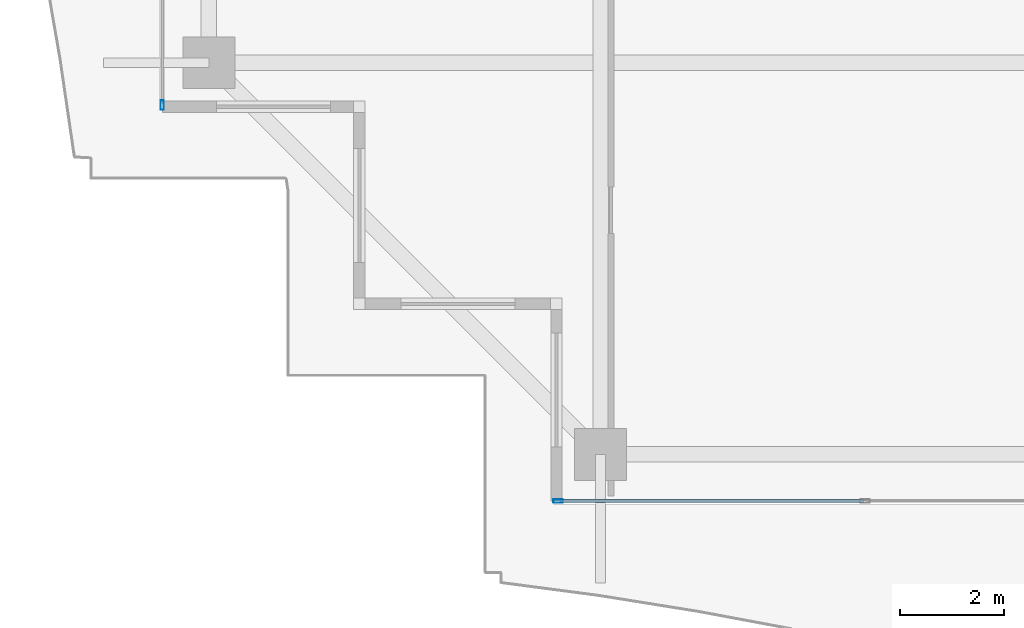
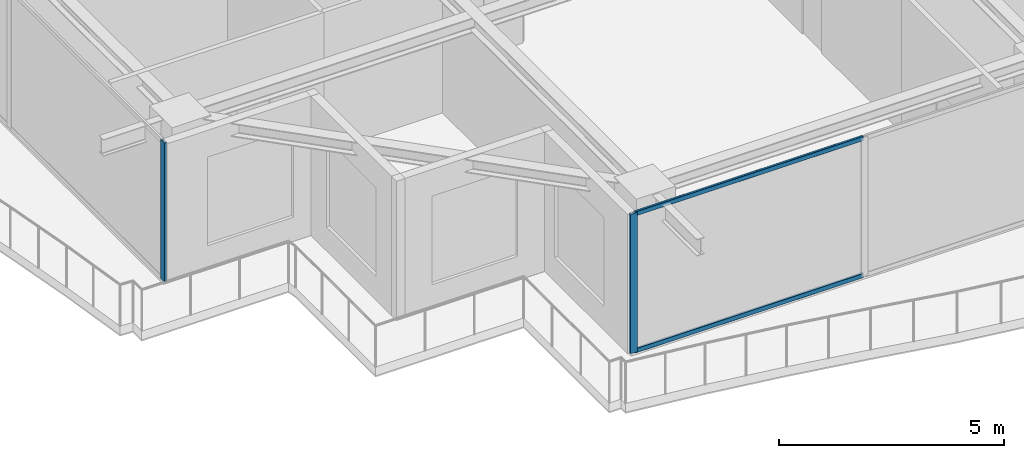
# One storey, part 2 of 38: 4 members, 2 elements without a shape of their own.
"""IFC4 building model written with IfcOpenShell, lengths in metres."""

from ifc_helpers import new_model, si_unit, direction, frame, origin, origin_2d, place, context, subcontext, project, spatial, hollow_rectangle, extrude, source, transform, mapped, material, layer, layer_set, material_profile, profile_set, type_object, element, aggregate, save


model = new_model("IFC4")

# Units and contexts
model_context = context("Model", 3, precision=1e-05, world=origin(), true_north=direction((0.0, 1.0)))
body_context = subcontext(model_context, "Body", "Model", "MODEL_VIEW")
ifc_project = project(units=[si_unit("LENGTHUNIT", "METRE"), si_unit("AREAUNIT", "SQUARE_METRE"), si_unit("VOLUMEUNIT", "CUBIC_METRE"), si_unit("PLANEANGLEUNIT", "RADIAN"), si_unit("MASSUNIT", "GRAM", prefix="KILO")], contexts=[model_context])

# Site, building, storey
site_placement = place(None, origin())
site = spatial("IfcSite", under=ifc_project, at=site_placement, CompositionType="ELEMENT")
building_placement = place(site_placement, origin())
building = spatial("IfcBuilding", under=site, at=building_placement, Name="Serunith Strait Residences", CompositionType="ELEMENT")
storey_placement = place(building_placement, frame((0.0, 0.0, 321.800048828125)))
storey = spatial("IfcBuildingStorey", under=building, at=storey_placement, Name="L80", CompositionType="ELEMENT", Elevation=321.800048828125)

# Curtain wall, member
ifc_material = material(Name="Brushed Stainless-Silver Aluminium", Category="aluminium")
ifc_layer = layer(ifc_material, 0.199951171875, Name="Brushed Stainless-Silver Aluminium")
ifc_layer_set = layer_set([ifc_layer], Name="Brushed Stainless-Silver Aluminium")
curtain_wall_type = type_object("IfcCurtainWallType", Name="CW-SYS5", PredefinedType="NOTDEFINED", material=ifc_layer_set)
curtain_wall_1_placement = place(storey_placement, origin())
curtain_wall_1 = element("IfcCurtainWall", 1, at=curtain_wall_1_placement, inside=storey, type_object=curtain_wall_type, Name="L80 S Unitised Fritted Curtain Wall", PredefinedType="NOTDEFINED")
ifc_material_profile_1 = material_profile(ifc_material, hollow_rectangle(XDim=0.06494140625, YDim=0.179931640625, WallThickness=0.00341796875, InnerFilletRadius=0.00537109375, OuterFilletRadius=0.0087890625, at=origin_2d()), Name="ALU 180x65x3.5")
ifc_profile_set_1 = profile_set([ifc_material_profile_1], Name="Brushed Stainless-Silver Aluminium")
member_type_1 = type_object("IfcMemberType", Name="CW-SYS5-MULL", PredefinedType="MULLION", material=ifc_profile_set_1)
shared_shape_1 = source(origin(), body_context, "Body", "SweptSolid", [
    extrude(hollow_rectangle(XDim=0.06494140625, YDim=0.179931640625, WallThickness=0.00341796875, InnerFilletRadius=0.00537109375, OuterFilletRadius=0.0087890625, at=origin_2d()), origin(), (0.0, 0.0, 1.0), 3.77490234375),
])
member_1_placement = place(storey_placement, frame((16.83251953125, 2.39990234375, 0.0), z_axis=(0.0, 0.0, 1.0), x_axis=(0.0, 1.0, 0.0)))
member_1 = element("IfcMember", 2, at=member_1_placement, type_object=member_type_1, Name="CW-5 mullion 1", PredefinedType="MULLION", context=body_context, shape_type="MappedRepresentation", body=[
    mapped(shared_shape_1, transform((0.0, 0.0, 0.0), scale=1.0)),
])

curtain_wall_2_placement = place(storey_placement, origin())
curtain_wall_2 = element("IfcCurtainWall", 3, at=curtain_wall_2_placement, inside=storey, type_object=curtain_wall_type, Name="L80 W Unitised Fritted Curtain Wall", PredefinedType="NOTDEFINED")
member_2_placement = place(storey_placement, frame((9.199951171875, 10.032470703125, 0.0), z_axis=(0.0, 0.0, 1.0), x_axis=(1.0, 0.0, 0.0)))
member_2 = element("IfcMember", 4, at=member_2_placement, type_object=member_type_1, Name="CW-5 mullion 3", PredefinedType="MULLION", context=body_context, shape_type="MappedRepresentation", body=[
    mapped(shared_shape_1, transform((0.0, 0.0, 0.0), scale=1.0)),
])
aggregate(curtain_wall_2, [member_2])

# Member
ifc_material_profile_2 = material_profile(ifc_material, hollow_rectangle(XDim=0.06005859375, YDim=0.1201171875, WallThickness=0.00341796875, InnerFilletRadius=0.00537109375, OuterFilletRadius=0.0087890625, at=origin_2d()), Name="ALU 120x60x3.5")
ifc_profile_set_2 = profile_set([ifc_material_profile_2], Name="Brushed Stainless-Silver Aluminium")
member_type_2 = type_object("IfcMemberType", Name="CW-SYS5-TRAN", PredefinedType="USERDEFINED", material=ifc_profile_set_2)
shared_shape_2 = source(origin(), body_context, "Body", "SweptSolid", [
    extrude(hollow_rectangle(XDim=0.06005859375, YDim=0.1201171875, WallThickness=0.00341796875, InnerFilletRadius=0.00537109375, OuterFilletRadius=0.0087890625, at=origin_2d()), origin(), (0.0, 0.0, 1.0), 5.8525390625),
])
member_3_placement = place(storey_placement, frame((16.864990234375, 2.39990234375, 0.030029296875), z_axis=(1.0, 0.0, 0.0), x_axis=(0.0, 1.0, 0.0)))
member_3 = element("IfcMember", 5, at=member_3_placement, type_object=member_type_2, Name="CW-5 transom 1.1", ObjectType="TRANSOM", PredefinedType="USERDEFINED", context=body_context, shape_type="MappedRepresentation", body=[
    mapped(shared_shape_2, transform((0.0, 0.0, 0.0), scale=1.0)),
])

member_4_placement = place(storey_placement, frame((16.864990234375, 2.39990234375, 3.744873046875), z_axis=(1.0, 0.0, 0.0), x_axis=(0.0, 1.0, 0.0)))
member_4 = element("IfcMember", 6, at=member_4_placement, type_object=member_type_2, Name="CW-5 transom 1.2", ObjectType="TRANSOM", PredefinedType="USERDEFINED", context=body_context, shape_type="MappedRepresentation", body=[
    mapped(shared_shape_2, transform((0.0, 0.0, 0.0), scale=1.0)),
])

aggregate(curtain_wall_1, [member_1, member_3, member_4])

save(model, "model.ifc")
